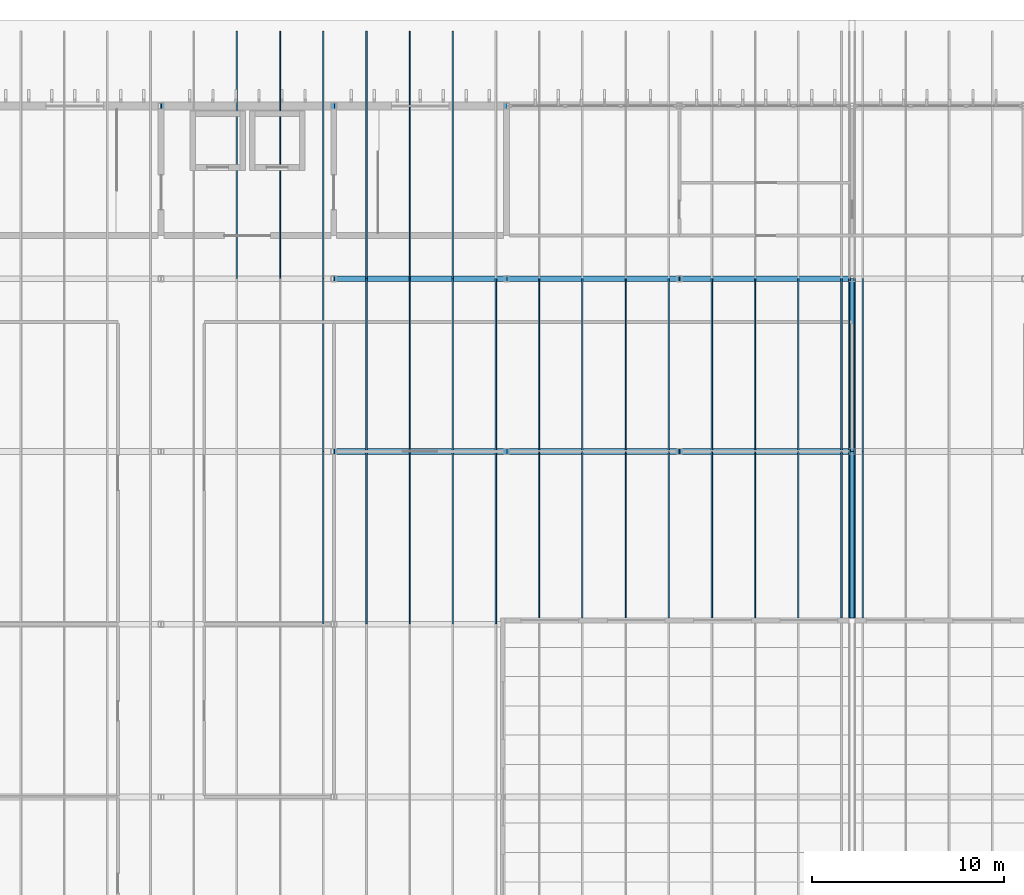
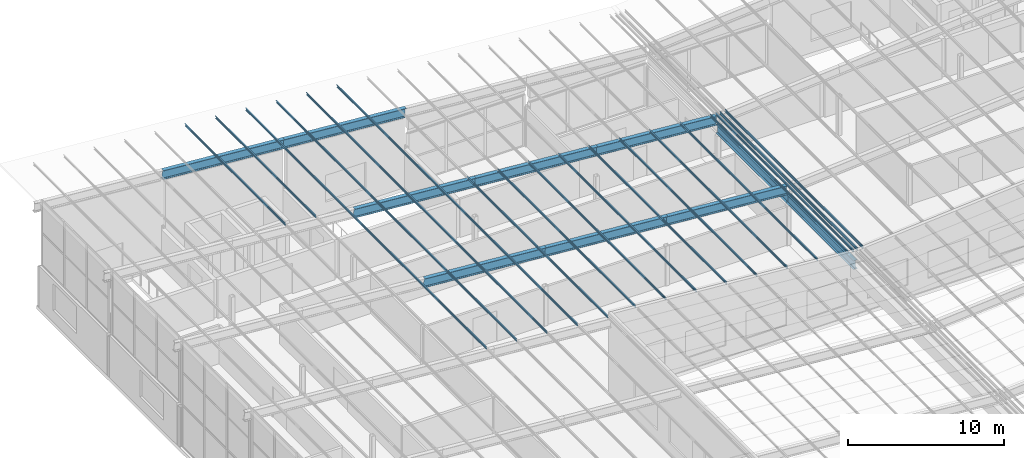
# One storey, part 54 of 85: 46 members, 2 beams.
"""IFC4 building model written with IfcOpenShell, lengths in metres."""

from ifc_helpers import new_model, si_unit, direction, frame, origin, origin_2d, place, context, subcontext, project, spatial, polyline, i_section, outline, extrude, material, material_profile, profile_set, type_object, element, save


model = new_model("IFC4")

# Units and contexts
model_context = context("Model", 3, precision=1e-05, world=origin(), true_north=direction((0.0, 1.0)))
body_context = subcontext(model_context, "Body", "Model", "MODEL_VIEW")
ifc_project = project(units=[si_unit("LENGTHUNIT", "METRE"), si_unit("AREAUNIT", "SQUARE_METRE"), si_unit("VOLUMEUNIT", "CUBIC_METRE"), si_unit("PLANEANGLEUNIT", "RADIAN"), si_unit("MASSUNIT", "GRAM", prefix="KILO")], contexts=[model_context])

# Site, building, storey
site_placement = place(None, origin())
site = spatial("IfcSite", under=ifc_project, at=site_placement, CompositionType="ELEMENT")
building_placement = place(site_placement, origin())
building = spatial("IfcBuilding", under=site, at=building_placement, Name="Opaline Strait Convention Centre", CompositionType="ELEMENT")
storey_placement = place(building_placement, frame((0.0, 0.0, 17.0)))
storey = spatial("IfcBuildingStorey", under=building, at=storey_placement, Name="L03", CompositionType="ELEMENT", Elevation=17.0)

# Members
ifc_material = material(Name="Steel Q355B", Category="steel")
ifc_material_profile_1 = material_profile(ifc_material, outline(polyline([(-0.034912109375, -0.10009765625), (0.034912109375, -0.10009765625), (0.034912109375, -0.080078125), (0.032470703125, -0.080078125), (0.032470703125, -0.097412109375), (-0.032470703125, -0.097412109375), (-0.032470703125, 0.097412109375), (0.032470703125, 0.097412109375), (0.032470703125, 0.080078125), (0.034912109375, 0.080078125), (0.034912109375, 0.10009765625), (-0.034912109375, 0.10009765625), (-0.034912109375, -0.10009765625)])), Name="C 200x70x20x2.5")
ifc_profile_set_1 = profile_set([ifc_material_profile_1], Name="Steel Q355B")
member_type_1 = type_object("IfcMemberType", Name="Roof purlin C 200x70x20x2.5", PredefinedType="PURLIN", material=ifc_profile_set_1)
member_1_placement = place(storey_placement, frame((323.85009765625, 153.324951171875, 4.814208984375), z_axis=(0.0, 1.0, 0.0), x_axis=(-0.996917333733, 0.0, -0.078459095728)))
element("IfcMember", 1, at=member_1_placement, inside=storey, type_object=member_type_1, Name="MRP1 purlin W wing 8", PredefinedType="PURLIN", context=body_context, shape_type="SweptSolid", body=[
    extrude(outline(polyline([(-0.034912109375, -0.10009765625), (0.034912109375, -0.10009765625), (0.034912109375, -0.080078125), (0.032470703125, -0.080078125), (0.032470703125, -0.097412109375), (-0.032470703125, -0.097412109375), (-0.032470703125, 0.097412109375), (0.032470703125, 0.097412109375), (0.032470703125, 0.080078125), (0.034912109375, 0.080078125), (0.034912109375, 0.10009765625), (-0.034912109375, 0.10009765625), (-0.034912109375, -0.10009765625)])), origin(), (0.0, 0.0, 1.0), 8.675048828125),
])
member_2_placement = place(storey_placement, frame((323.85009765625, 162.0, 4.814208984375), z_axis=(0.0, 1.0, 0.0), x_axis=(-0.996917333733, 0.0, -0.078459095728)))
element("IfcMember", 2, at=member_2_placement, inside=storey, type_object=member_type_1, Name="MRP1 purlin W wing 9", PredefinedType="PURLIN", context=body_context, shape_type="SweptSolid", body=[
    extrude(outline(polyline([(-0.034912109375, -0.10009765625), (0.034912109375, -0.10009765625), (0.034912109375, -0.080078125), (0.032470703125, -0.080078125), (0.032470703125, -0.097412109375), (-0.032470703125, -0.097412109375), (-0.032470703125, 0.097412109375), (0.032470703125, 0.097412109375), (0.032470703125, 0.080078125), (0.034912109375, 0.080078125), (0.034912109375, 0.10009765625), (-0.034912109375, 0.10009765625), (-0.034912109375, -0.10009765625)])), origin(), (0.0, 0.0, 1.0), 9.0),
])
member_3_placement = place(storey_placement, frame((323.449951171875, 153.324951171875, 4.845703125), z_axis=(0.0, 1.0, 0.0), x_axis=(-0.996917333733, 0.0, -0.078459095728)))
element("IfcMember", 3, at=member_3_placement, inside=storey, type_object=member_type_1, Name="MRP1 purlin W wing 18", PredefinedType="PURLIN", context=body_context, shape_type="SweptSolid", body=[
    extrude(outline(polyline([(-0.034912109375, -0.10009765625), (0.034912109375, -0.10009765625), (0.034912109375, -0.080078125), (0.032470703125, -0.080078125), (0.032470703125, -0.097412109375), (-0.032470703125, -0.097412109375), (-0.032470703125, 0.097412109375), (0.032470703125, 0.097412109375), (0.032470703125, 0.080078125), (0.034912109375, 0.080078125), (0.034912109375, 0.10009765625), (-0.034912109375, 0.10009765625), (-0.034912109375, -0.10009765625)])), origin(), (0.0, 0.0, 1.0), 8.675048828125),
])
member_4_placement = place(storey_placement, frame((323.449951171875, 162.0, 4.845703125), z_axis=(0.0, 1.0, 0.0), x_axis=(-0.996917333733, 0.0, -0.078459095728)))
element("IfcMember", 4, at=member_4_placement, inside=storey, type_object=member_type_1, Name="MRP1 purlin W wing 19", PredefinedType="PURLIN", context=body_context, shape_type="SweptSolid", body=[
    extrude(outline(polyline([(-0.034912109375, -0.10009765625), (0.034912109375, -0.10009765625), (0.034912109375, -0.080078125), (0.032470703125, -0.080078125), (0.032470703125, -0.097412109375), (-0.032470703125, -0.097412109375), (-0.032470703125, 0.097412109375), (0.032470703125, 0.097412109375), (0.032470703125, 0.080078125), (0.034912109375, 0.080078125), (0.034912109375, 0.10009765625), (-0.034912109375, 0.10009765625), (-0.034912109375, -0.10009765625)])), origin(), (0.0, 0.0, 1.0), 9.0),
])
member_5_placement = place(storey_placement, frame((321.199951171875, 153.324951171875, 5.02294921875), z_axis=(0.0, 1.0, 0.0), x_axis=(-0.996917333733, 0.0, -0.078459095728)))
element("IfcMember", 5, at=member_5_placement, inside=storey, type_object=member_type_1, Name="MRP1 purlin W wing 28", PredefinedType="PURLIN", context=body_context, shape_type="SweptSolid", body=[
    extrude(outline(polyline([(-0.034912109375, -0.10009765625), (0.034912109375, -0.10009765625), (0.034912109375, -0.080078125), (0.032470703125, -0.080078125), (0.032470703125, -0.097412109375), (-0.032470703125, -0.097412109375), (-0.032470703125, 0.097412109375), (0.032470703125, 0.097412109375), (0.032470703125, 0.080078125), (0.034912109375, 0.080078125), (0.034912109375, 0.10009765625), (-0.034912109375, 0.10009765625), (-0.034912109375, -0.10009765625)])), origin(), (0.0, 0.0, 1.0), 8.675048828125),
])
member_6_placement = place(storey_placement, frame((321.199951171875, 162.0, 5.02294921875), z_axis=(0.0, 1.0, 0.0), x_axis=(-0.996917333733, 0.0, -0.078459095728)))
element("IfcMember", 6, at=member_6_placement, inside=storey, type_object=member_type_1, Name="MRP1 purlin W wing 29", PredefinedType="PURLIN", context=body_context, shape_type="SweptSolid", body=[
    extrude(outline(polyline([(-0.034912109375, -0.10009765625), (0.034912109375, -0.10009765625), (0.034912109375, -0.080078125), (0.032470703125, -0.080078125), (0.032470703125, -0.097412109375), (-0.032470703125, -0.097412109375), (-0.032470703125, 0.097412109375), (0.032470703125, 0.097412109375), (0.032470703125, 0.080078125), (0.034912109375, 0.080078125), (0.034912109375, 0.10009765625), (-0.034912109375, 0.10009765625), (-0.034912109375, -0.10009765625)])), origin(), (0.0, 0.0, 1.0), 9.0),
])
member_7_placement = place(storey_placement, frame((318.949951171875, 153.324951171875, 5.199951171875), z_axis=(0.0, 1.0, 0.0), x_axis=(-0.996917333733, 0.0, -0.078459095728)))
element("IfcMember", 7, at=member_7_placement, inside=storey, type_object=member_type_1, Name="MRP1 purlin W wing 38", PredefinedType="PURLIN", context=body_context, shape_type="SweptSolid", body=[
    extrude(outline(polyline([(-0.034912109375, -0.10009765625), (0.034912109375, -0.10009765625), (0.034912109375, -0.080078125), (0.032470703125, -0.080078125), (0.032470703125, -0.097412109375), (-0.032470703125, -0.097412109375), (-0.032470703125, 0.097412109375), (0.032470703125, 0.097412109375), (0.032470703125, 0.080078125), (0.034912109375, 0.080078125), (0.034912109375, 0.10009765625), (-0.034912109375, 0.10009765625), (-0.034912109375, -0.10009765625)])), origin(), (0.0, 0.0, 1.0), 8.675048828125),
])
member_8_placement = place(storey_placement, frame((318.949951171875, 162.0, 5.199951171875), z_axis=(0.0, 1.0, 0.0), x_axis=(-0.996917333733, 0.0, -0.078459095728)))
element("IfcMember", 8, at=member_8_placement, inside=storey, type_object=member_type_1, Name="MRP1 purlin W wing 39", PredefinedType="PURLIN", context=body_context, shape_type="SweptSolid", body=[
    extrude(outline(polyline([(-0.034912109375, -0.10009765625), (0.034912109375, -0.10009765625), (0.034912109375, -0.080078125), (0.032470703125, -0.080078125), (0.032470703125, -0.097412109375), (-0.032470703125, -0.097412109375), (-0.032470703125, 0.097412109375), (0.032470703125, 0.097412109375), (0.032470703125, 0.080078125), (0.034912109375, 0.080078125), (0.034912109375, 0.10009765625), (-0.034912109375, 0.10009765625), (-0.034912109375, -0.10009765625)])), origin(), (0.0, 0.0, 1.0), 9.0),
])
member_9_placement = place(storey_placement, frame((316.699951171875, 153.324951171875, 5.376953125), z_axis=(0.0, 1.0, 0.0), x_axis=(-0.996917333733, 0.0, -0.078459095728)))
element("IfcMember", 9, at=member_9_placement, inside=storey, type_object=member_type_1, Name="MRP1 purlin W wing 48", PredefinedType="PURLIN", context=body_context, shape_type="SweptSolid", body=[
    extrude(outline(polyline([(-0.034912109375, -0.10009765625), (0.034912109375, -0.10009765625), (0.034912109375, -0.080078125), (0.032470703125, -0.080078125), (0.032470703125, -0.097412109375), (-0.032470703125, -0.097412109375), (-0.032470703125, 0.097412109375), (0.032470703125, 0.097412109375), (0.032470703125, 0.080078125), (0.034912109375, 0.080078125), (0.034912109375, 0.10009765625), (-0.034912109375, 0.10009765625), (-0.034912109375, -0.10009765625)])), origin(), (0.0, 0.0, 1.0), 8.675048828125),
])
member_10_placement = place(storey_placement, frame((316.699951171875, 162.0, 5.376953125), z_axis=(0.0, 1.0, 0.0), x_axis=(-0.996917333733, 0.0, -0.078459095728)))
element("IfcMember", 10, at=member_10_placement, inside=storey, type_object=member_type_1, Name="MRP1 purlin W wing 49", PredefinedType="PURLIN", context=body_context, shape_type="SweptSolid", body=[
    extrude(outline(polyline([(-0.034912109375, -0.10009765625), (0.034912109375, -0.10009765625), (0.034912109375, -0.080078125), (0.032470703125, -0.080078125), (0.032470703125, -0.097412109375), (-0.032470703125, -0.097412109375), (-0.032470703125, 0.097412109375), (0.032470703125, 0.097412109375), (0.032470703125, 0.080078125), (0.034912109375, 0.080078125), (0.034912109375, 0.10009765625), (-0.034912109375, 0.10009765625), (-0.034912109375, -0.10009765625)])), origin(), (0.0, 0.0, 1.0), 9.0),
])
member_11_placement = place(storey_placement, frame((314.449951171875, 153.324951171875, 5.553955078125), z_axis=(0.0, 1.0, 0.0), x_axis=(-0.996917333733, 0.0, -0.078459095728)))
element("IfcMember", 11, at=member_11_placement, inside=storey, type_object=member_type_1, Name="MRP1 purlin W wing 58", PredefinedType="PURLIN", context=body_context, shape_type="SweptSolid", body=[
    extrude(outline(polyline([(-0.034912109375, -0.10009765625), (0.034912109375, -0.10009765625), (0.034912109375, -0.080078125), (0.032470703125, -0.080078125), (0.032470703125, -0.097412109375), (-0.032470703125, -0.097412109375), (-0.032470703125, 0.097412109375), (0.032470703125, 0.097412109375), (0.032470703125, 0.080078125), (0.034912109375, 0.080078125), (0.034912109375, 0.10009765625), (-0.034912109375, 0.10009765625), (-0.034912109375, -0.10009765625)])), origin(), (0.0, 0.0, 1.0), 8.675048828125),
])
member_12_placement = place(storey_placement, frame((314.449951171875, 162.0, 5.553955078125), z_axis=(0.0, 1.0, 0.0), x_axis=(-0.996917333733, 0.0, -0.078459095728)))
element("IfcMember", 12, at=member_12_placement, inside=storey, type_object=member_type_1, Name="MRP1 purlin W wing 59", PredefinedType="PURLIN", context=body_context, shape_type="SweptSolid", body=[
    extrude(outline(polyline([(-0.034912109375, -0.10009765625), (0.034912109375, -0.10009765625), (0.034912109375, -0.080078125), (0.032470703125, -0.080078125), (0.032470703125, -0.097412109375), (-0.032470703125, -0.097412109375), (-0.032470703125, 0.097412109375), (0.032470703125, 0.097412109375), (0.032470703125, 0.080078125), (0.034912109375, 0.080078125), (0.034912109375, 0.10009765625), (-0.034912109375, 0.10009765625), (-0.034912109375, -0.10009765625)])), origin(), (0.0, 0.0, 1.0), 9.0),
])
member_13_placement = place(storey_placement, frame((312.199951171875, 153.324951171875, 5.731201171875), z_axis=(0.0, 1.0, 0.0), x_axis=(-0.996917333733, 0.0, -0.078459095728)))
element("IfcMember", 13, at=member_13_placement, inside=storey, type_object=member_type_1, Name="MRP1 purlin W wing 68", PredefinedType="PURLIN", context=body_context, shape_type="SweptSolid", body=[
    extrude(outline(polyline([(-0.034912109375, -0.10009765625), (0.034912109375, -0.10009765625), (0.034912109375, -0.080078125), (0.032470703125, -0.080078125), (0.032470703125, -0.097412109375), (-0.032470703125, -0.097412109375), (-0.032470703125, 0.097412109375), (0.032470703125, 0.097412109375), (0.032470703125, 0.080078125), (0.034912109375, 0.080078125), (0.034912109375, 0.10009765625), (-0.034912109375, 0.10009765625), (-0.034912109375, -0.10009765625)])), origin(), (0.0, 0.0, 1.0), 8.675048828125),
])
member_14_placement = place(storey_placement, frame((312.199951171875, 162.0, 5.731201171875), z_axis=(0.0, 1.0, 0.0), x_axis=(-0.996917333733, 0.0, -0.078459095728)))
element("IfcMember", 14, at=member_14_placement, inside=storey, type_object=member_type_1, Name="MRP1 purlin W wing 69", PredefinedType="PURLIN", context=body_context, shape_type="SweptSolid", body=[
    extrude(outline(polyline([(-0.034912109375, -0.10009765625), (0.034912109375, -0.10009765625), (0.034912109375, -0.080078125), (0.032470703125, -0.080078125), (0.032470703125, -0.097412109375), (-0.032470703125, -0.097412109375), (-0.032470703125, 0.097412109375), (0.032470703125, 0.097412109375), (0.032470703125, 0.080078125), (0.034912109375, 0.080078125), (0.034912109375, 0.10009765625), (-0.034912109375, 0.10009765625), (-0.034912109375, -0.10009765625)])), origin(), (0.0, 0.0, 1.0), 9.0),
])
member_15_placement = place(storey_placement, frame((309.949951171875, 153.324951171875, 5.908203125), z_axis=(0.0, 1.0, 0.0), x_axis=(-0.996917333733, 0.0, -0.078459095728)))
element("IfcMember", 15, at=member_15_placement, inside=storey, type_object=member_type_1, Name="MRP1 purlin W wing 78", PredefinedType="PURLIN", context=body_context, shape_type="SweptSolid", body=[
    extrude(outline(polyline([(-0.034912109375, -0.10009765625), (0.034912109375, -0.10009765625), (0.034912109375, -0.080078125), (0.032470703125, -0.080078125), (0.032470703125, -0.097412109375), (-0.032470703125, -0.097412109375), (-0.032470703125, 0.097412109375), (0.032470703125, 0.097412109375), (0.032470703125, 0.080078125), (0.034912109375, 0.080078125), (0.034912109375, 0.10009765625), (-0.034912109375, 0.10009765625), (-0.034912109375, -0.10009765625)])), origin(), (0.0, 0.0, 1.0), 8.675048828125),
])
member_16_placement = place(storey_placement, frame((309.949951171875, 162.0, 5.908203125), z_axis=(0.0, 1.0, 0.0), x_axis=(-0.996917333733, 0.0, -0.078459095728)))
element("IfcMember", 16, at=member_16_placement, inside=storey, type_object=member_type_1, Name="MRP1 purlin W wing 79", PredefinedType="PURLIN", context=body_context, shape_type="SweptSolid", body=[
    extrude(outline(polyline([(-0.034912109375, -0.10009765625), (0.034912109375, -0.10009765625), (0.034912109375, -0.080078125), (0.032470703125, -0.080078125), (0.032470703125, -0.097412109375), (-0.032470703125, -0.097412109375), (-0.032470703125, 0.097412109375), (0.032470703125, 0.097412109375), (0.032470703125, 0.080078125), (0.034912109375, 0.080078125), (0.034912109375, 0.10009765625), (-0.034912109375, 0.10009765625), (-0.034912109375, -0.10009765625)])), origin(), (0.0, 0.0, 1.0), 9.0),
])
member_17_placement = place(storey_placement, frame((307.699951171875, 153.324951171875, 6.085205078125), z_axis=(0.0, 1.0, 0.0), x_axis=(-0.996917333733, 0.0, -0.078459095728)))
element("IfcMember", 17, at=member_17_placement, inside=storey, type_object=member_type_1, Name="MRP1 purlin W wing 88", PredefinedType="PURLIN", context=body_context, shape_type="SweptSolid", body=[
    extrude(outline(polyline([(-0.034912109375, -0.10009765625), (0.034912109375, -0.10009765625), (0.034912109375, -0.080078125), (0.032470703125, -0.080078125), (0.032470703125, -0.097412109375), (-0.032470703125, -0.097412109375), (-0.032470703125, 0.097412109375), (0.032470703125, 0.097412109375), (0.032470703125, 0.080078125), (0.034912109375, 0.080078125), (0.034912109375, 0.10009765625), (-0.034912109375, 0.10009765625), (-0.034912109375, -0.10009765625)])), origin(), (0.0, 0.0, 1.0), 8.675048828125),
])
for number, where, z_axis, x_axis, name in (
    (18, (307.699951171875, 162.0, 6.085205078125), (0.0, 1.0, 0.0), (-0.996917333733, 0.0, -0.078459095728), "MRP1 purlin W wing 89"),
    (19, (305.449951171875, 153.0, 6.262451171875), (0.0, 1.0, 0.0), (-0.996917333733, 0.0, -0.078459095728), "MRP1 purlin W wing 98"),
    (20, (305.449951171875, 162.0, 6.262451171875), (0.0, 1.0, 0.0), (-0.996917333733, 0.0, -0.078459095728), "MRP1 purlin W wing 99"),
    (21, (303.199951171875, 153.0, 6.439453125), (0.0, 1.0, 0.0), (-0.996917333733, 0.0, -0.078459095728), "MRP1 purlin W wing 108"),
    (22, (303.199951171875, 162.0, 6.439453125), (0.0, 1.0, 0.0), (-0.996917333733, 0.0, -0.078459095728), "MRP1 purlin W wing 109"),
):
    element("IfcMember", number, at=place(storey_placement, frame(where, z_axis=z_axis, x_axis=x_axis)), inside=storey, type_object=member_type_1, Name=name, PredefinedType="PURLIN", context=body_context, shape_type="SweptSolid", body=[
        extrude(outline(polyline([(-0.034912109375, -0.10009765625), (0.034912109375, -0.10009765625), (0.034912109375, -0.080078125), (0.032470703125, -0.080078125), (0.032470703125, -0.097412109375), (-0.032470703125, -0.097412109375), (-0.032470703125, 0.097412109375), (0.032470703125, 0.097412109375), (0.032470703125, 0.080078125), (0.034912109375, 0.080078125), (0.034912109375, 0.10009765625), (-0.034912109375, 0.10009765625), (-0.034912109375, -0.10009765625)])), origin(), (0.0, 0.0, 1.0), 9.0),
    ])
member_18_placement = place(storey_placement, frame((303.199951171875, 171.0, 6.439453125), z_axis=(0.0, 1.0, 0.0), x_axis=(-0.996917333733, 0.0, -0.078459095728)))
element("IfcMember", 23, at=member_18_placement, inside=storey, type_object=member_type_1, Name="MRP1 purlin W wing 110", PredefinedType="PURLIN", context=body_context, shape_type="SweptSolid", body=[
    extrude(outline(polyline([(-0.034912109375, -0.10009765625), (0.034912109375, -0.10009765625), (0.034912109375, -0.080078125), (0.032470703125, -0.080078125), (0.032470703125, -0.097412109375), (-0.032470703125, -0.097412109375), (-0.032470703125, 0.097412109375), (0.032470703125, 0.097412109375), (0.032470703125, 0.080078125), (0.034912109375, 0.080078125), (0.034912109375, 0.10009765625), (-0.034912109375, 0.10009765625), (-0.034912109375, -0.10009765625)])), origin(), (0.0, 0.0, 1.0), 12.89990234375),
])
for number, where, z_axis, x_axis, name in (
    (24, (300.949951171875, 153.0, 6.616455078125), (0.0, 1.0, 0.0), (-0.996917333733, 0.0, -0.078459095728), "MRP1 purlin W wing 118"),
    (25, (300.949951171875, 162.0, 6.616455078125), (0.0, 1.0, 0.0), (-0.996917333733, 0.0, -0.078459095728), "MRP1 purlin W wing 119"),
):
    element("IfcMember", number, at=place(storey_placement, frame(where, z_axis=z_axis, x_axis=x_axis)), inside=storey, type_object=member_type_1, Name=name, PredefinedType="PURLIN", context=body_context, shape_type="SweptSolid", body=[
        extrude(outline(polyline([(-0.034912109375, -0.10009765625), (0.034912109375, -0.10009765625), (0.034912109375, -0.080078125), (0.032470703125, -0.080078125), (0.032470703125, -0.097412109375), (-0.032470703125, -0.097412109375), (-0.032470703125, 0.097412109375), (0.032470703125, 0.097412109375), (0.032470703125, 0.080078125), (0.034912109375, 0.080078125), (0.034912109375, 0.10009765625), (-0.034912109375, 0.10009765625), (-0.034912109375, -0.10009765625)])), origin(), (0.0, 0.0, 1.0), 9.0),
    ])
member_19_placement = place(storey_placement, frame((300.949951171875, 171.0, 6.616455078125), z_axis=(0.0, 1.0, 0.0), x_axis=(-0.996917333733, 0.0, -0.078459095728)))
element("IfcMember", 26, at=member_19_placement, inside=storey, type_object=member_type_1, Name="MRP1 purlin W wing 120", PredefinedType="PURLIN", context=body_context, shape_type="SweptSolid", body=[
    extrude(outline(polyline([(-0.034912109375, -0.10009765625), (0.034912109375, -0.10009765625), (0.034912109375, -0.080078125), (0.032470703125, -0.080078125), (0.032470703125, -0.097412109375), (-0.032470703125, -0.097412109375), (-0.032470703125, 0.097412109375), (0.032470703125, 0.097412109375), (0.032470703125, 0.080078125), (0.034912109375, 0.080078125), (0.034912109375, 0.10009765625), (-0.034912109375, 0.10009765625), (-0.034912109375, -0.10009765625)])), origin(), (0.0, 0.0, 1.0), 12.89990234375),
])
for number, where, z_axis, x_axis, name in (
    (27, (298.699951171875, 153.0, 6.793701171875), (0.0, 1.0, 0.0), (-0.996917333733, 0.0, -0.078459095728), "MRP1 purlin W wing 128"),
    (28, (298.699951171875, 162.0, 6.793701171875), (0.0, 1.0, 0.0), (-0.996917333733, 0.0, -0.078459095728), "MRP1 purlin W wing 129"),
):
    element("IfcMember", number, at=place(storey_placement, frame(where, z_axis=z_axis, x_axis=x_axis)), inside=storey, type_object=member_type_1, Name=name, PredefinedType="PURLIN", context=body_context, shape_type="SweptSolid", body=[
        extrude(outline(polyline([(-0.034912109375, -0.10009765625), (0.034912109375, -0.10009765625), (0.034912109375, -0.080078125), (0.032470703125, -0.080078125), (0.032470703125, -0.097412109375), (-0.032470703125, -0.097412109375), (-0.032470703125, 0.097412109375), (0.032470703125, 0.097412109375), (0.032470703125, 0.080078125), (0.034912109375, 0.080078125), (0.034912109375, 0.10009765625), (-0.034912109375, 0.10009765625), (-0.034912109375, -0.10009765625)])), origin(), (0.0, 0.0, 1.0), 9.0),
    ])
member_20_placement = place(storey_placement, frame((298.699951171875, 171.0, 6.793701171875), z_axis=(0.0, 1.0, 0.0), x_axis=(-0.996917333733, 0.0, -0.078459095728)))
element("IfcMember", 29, at=member_20_placement, inside=storey, type_object=member_type_1, Name="MRP1 purlin W wing 130", PredefinedType="PURLIN", context=body_context, shape_type="SweptSolid", body=[
    extrude(outline(polyline([(-0.034912109375, -0.10009765625), (0.034912109375, -0.10009765625), (0.034912109375, -0.080078125), (0.032470703125, -0.080078125), (0.032470703125, -0.097412109375), (-0.032470703125, -0.097412109375), (-0.032470703125, 0.097412109375), (0.032470703125, 0.097412109375), (0.032470703125, 0.080078125), (0.034912109375, 0.080078125), (0.034912109375, 0.10009765625), (-0.034912109375, 0.10009765625), (-0.034912109375, -0.10009765625)])), origin(), (0.0, 0.0, 1.0), 12.89990234375),
])
for number, where, z_axis, x_axis, name in (
    (30, (296.449951171875, 153.0, 6.970703125), (0.0, 1.0, 0.0), (-0.996917333733, 0.0, -0.078459095728), "MRP1 purlin W wing 138"),
    (31, (296.449951171875, 162.0, 6.970703125), (0.0, 1.0, 0.0), (-0.996917333733, 0.0, -0.078459095728), "MRP1 purlin W wing 139"),
):
    element("IfcMember", number, at=place(storey_placement, frame(where, z_axis=z_axis, x_axis=x_axis)), inside=storey, type_object=member_type_1, Name=name, PredefinedType="PURLIN", context=body_context, shape_type="SweptSolid", body=[
        extrude(outline(polyline([(-0.034912109375, -0.10009765625), (0.034912109375, -0.10009765625), (0.034912109375, -0.080078125), (0.032470703125, -0.080078125), (0.032470703125, -0.097412109375), (-0.032470703125, -0.097412109375), (-0.032470703125, 0.097412109375), (0.032470703125, 0.097412109375), (0.032470703125, 0.080078125), (0.034912109375, 0.080078125), (0.034912109375, 0.10009765625), (-0.034912109375, 0.10009765625), (-0.034912109375, -0.10009765625)])), origin(), (0.0, 0.0, 1.0), 9.0),
    ])
for number, where, z_axis, x_axis, name in (
    (32, (296.449951171875, 171.0, 6.970703125), (0.0, 1.0, 0.0), (-0.996917333733, 0.0, -0.078459095728), "MRP1 purlin W wing 140"),
    (33, (294.199951171875, 171.0, 7.147705078125), (0.0, 1.0, 0.0), (-0.996917333733, 0.0, -0.078459095728), "MRP1 purlin W wing 150"),
    (34, (291.949951171875, 171.0, 7.324951171875), (0.0, 1.0, 0.0), (-0.996917333733, 0.0, -0.078459095728), "MRP1 purlin W wing 160"),
):
    element("IfcMember", number, at=place(storey_placement, frame(where, z_axis=z_axis, x_axis=x_axis)), inside=storey, type_object=member_type_1, Name=name, PredefinedType="PURLIN", context=body_context, shape_type="SweptSolid", body=[
        extrude(outline(polyline([(-0.034912109375, -0.10009765625), (0.034912109375, -0.10009765625), (0.034912109375, -0.080078125), (0.032470703125, -0.080078125), (0.032470703125, -0.097412109375), (-0.032470703125, -0.097412109375), (-0.032470703125, 0.097412109375), (0.032470703125, 0.097412109375), (0.032470703125, 0.080078125), (0.034912109375, 0.080078125), (0.034912109375, 0.10009765625), (-0.034912109375, 0.10009765625), (-0.034912109375, -0.10009765625)])), origin(), (0.0, 0.0, 1.0), 12.89990234375),
    ])
member_21_placement = place(storey_placement, frame((324.14990234375, 153.324951171875, 4.814208984375), z_axis=(0.0, 1.0, 0.0), x_axis=(-0.996917333733, 0.0, 0.078459095728)))
element("IfcMember", 35, at=member_21_placement, inside=storey, type_object=member_type_1, Name="MRP1 purlin E wing 218", PredefinedType="PURLIN", context=body_context, shape_type="SweptSolid", body=[
    extrude(outline(polyline([(-0.034912109375, -0.10009765625), (0.034912109375, -0.10009765625), (0.034912109375, -0.080078125), (0.032470703125, -0.080078125), (0.032470703125, -0.097412109375), (-0.032470703125, -0.097412109375), (-0.032470703125, 0.097412109375), (0.032470703125, 0.097412109375), (0.032470703125, 0.080078125), (0.034912109375, 0.080078125), (0.034912109375, 0.10009765625), (-0.034912109375, 0.10009765625), (-0.034912109375, -0.10009765625)])), origin(), (0.0, 0.0, 1.0), 8.675048828125),
])
member_22_placement = place(storey_placement, frame((324.14990234375, 162.0, 4.814208984375), z_axis=(0.0, 1.0, 0.0), x_axis=(-0.996917333733, 0.0, 0.078459095728)))
element("IfcMember", 36, at=member_22_placement, inside=storey, type_object=member_type_1, Name="MRP1 purlin E wing 219", PredefinedType="PURLIN", context=body_context, shape_type="SweptSolid", body=[
    extrude(outline(polyline([(-0.034912109375, -0.10009765625), (0.034912109375, -0.10009765625), (0.034912109375, -0.080078125), (0.032470703125, -0.080078125), (0.032470703125, -0.097412109375), (-0.032470703125, -0.097412109375), (-0.032470703125, 0.097412109375), (0.032470703125, 0.097412109375), (0.032470703125, 0.080078125), (0.034912109375, 0.080078125), (0.034912109375, 0.10009765625), (-0.034912109375, 0.10009765625), (-0.034912109375, -0.10009765625)])), origin(), (0.0, 0.0, 1.0), 9.0),
])
member_23_placement = place(storey_placement, frame((324.550048828125, 153.324951171875, 4.845703125), z_axis=(0.0, 1.0, 0.0), x_axis=(-0.996917333733, 0.0, 0.078459095728)))
element("IfcMember", 37, at=member_23_placement, inside=storey, type_object=member_type_1, Name="MRP1 purlin E wing 228", PredefinedType="PURLIN", context=body_context, shape_type="SweptSolid", body=[
    extrude(outline(polyline([(-0.034912109375, -0.10009765625), (0.034912109375, -0.10009765625), (0.034912109375, -0.080078125), (0.032470703125, -0.080078125), (0.032470703125, -0.097412109375), (-0.032470703125, -0.097412109375), (-0.032470703125, 0.097412109375), (0.032470703125, 0.097412109375), (0.032470703125, 0.080078125), (0.034912109375, 0.080078125), (0.034912109375, 0.10009765625), (-0.034912109375, 0.10009765625), (-0.034912109375, -0.10009765625)])), origin(), (0.0, 0.0, 1.0), 8.675048828125),
])
member_24_placement = place(storey_placement, frame((324.550048828125, 162.0, 4.845703125), z_axis=(0.0, 1.0, 0.0), x_axis=(-0.996917333733, 0.0, 0.078459095728)))
element("IfcMember", 38, at=member_24_placement, inside=storey, type_object=member_type_1, Name="MRP1 purlin E wing 229", PredefinedType="PURLIN", context=body_context, shape_type="SweptSolid", body=[
    extrude(outline(polyline([(-0.034912109375, -0.10009765625), (0.034912109375, -0.10009765625), (0.034912109375, -0.080078125), (0.032470703125, -0.080078125), (0.032470703125, -0.097412109375), (-0.032470703125, -0.097412109375), (-0.032470703125, 0.097412109375), (0.032470703125, 0.097412109375), (0.032470703125, 0.080078125), (0.034912109375, 0.080078125), (0.034912109375, 0.10009765625), (-0.034912109375, 0.10009765625), (-0.034912109375, -0.10009765625)])), origin(), (0.0, 0.0, 1.0), 9.0),
])
ifc_material_profile_2 = material_profile(ifc_material, i_section(OverallWidth=0.300048828125, OverallDepth=0.699951171875, WebThickness=0.012939453125, FlangeThickness=0.02392578125, FilletRadius=0.01806640625, at=origin_2d()), Name="HN 700x300x13x24")
ifc_profile_set_2 = profile_set([ifc_material_profile_2], Name="Steel Q355B")
member_type_2 = type_object("IfcMemberType", Name="Roof rafter HN 700x300x13x24", PredefinedType="RAFTER", material=ifc_profile_set_2)
for number, where, z_axis, x_axis, name in (
    (39, (297.0, 162.0, 6.47607421875), (0.996917883079, 0.0, -0.078452115311), (0.0, 1.0, 0.0), "MRR1 rafter y 162"),
    (40, (306.0, 162.0, 5.767822265625), (0.99691576767, 0.0, -0.07847899191), (0.0, 1.0, 0.0), "MRR1 rafter y 162"),
):
    element("IfcMember", number, at=place(storey_placement, frame(where, z_axis=z_axis, x_axis=x_axis)), inside=storey, type_object=member_type_2, Name=name, PredefinedType="RAFTER", context=body_context, shape_type="SweptSolid", body=[
        extrude(i_section(OverallWidth=0.300048828125, OverallDepth=0.699951171875, WebThickness=0.012939453125, FlangeThickness=0.02392578125, FilletRadius=0.01806640625, at=origin_2d()), origin(), (0.0, 0.0, 1.0), 9.02783203125),
    ])
member_25_placement = place(storey_placement, frame((315.0, 162.0, 5.059326171875), z_axis=(0.996917316665, 0.0, -0.0784593126), x_axis=(0.0, 1.0, 0.0)))
element("IfcMember", 41, at=member_25_placement, inside=storey, type_object=member_type_2, Name="MRR1 rafter y 162", PredefinedType="RAFTER", context=body_context, shape_type="SweptSolid", body=[
    extrude(i_section(OverallWidth=0.300048828125, OverallDepth=0.699951171875, WebThickness=0.012939453125, FlangeThickness=0.02392578125, FilletRadius=0.01806640625, at=origin_2d()), origin(), (0.0, 0.0, 1.0), 8.927490234375),
])
for number, where, z_axis, x_axis, name in (
    (42, (297.0, 171.0, 6.47607421875), (0.996917883079, 0.0, -0.078452115311), (0.0, 1.0, 0.0), "MRR1 rafter y 171"),
    (43, (306.0, 171.0, 5.767822265625), (0.99691576767, 0.0, -0.07847899191), (0.0, 1.0, 0.0), "MRR1 rafter y 171"),
):
    element("IfcMember", number, at=place(storey_placement, frame(where, z_axis=z_axis, x_axis=x_axis)), inside=storey, type_object=member_type_2, Name=name, PredefinedType="RAFTER", context=body_context, shape_type="SweptSolid", body=[
        extrude(i_section(OverallWidth=0.300048828125, OverallDepth=0.699951171875, WebThickness=0.012939453125, FlangeThickness=0.02392578125, FilletRadius=0.01806640625, at=origin_2d()), origin(), (0.0, 0.0, 1.0), 9.02783203125),
    ])
member_26_placement = place(storey_placement, frame((315.0, 171.0, 5.059326171875), z_axis=(0.996917316665, 0.0, -0.0784593126), x_axis=(0.0, 1.0, 0.0)))
element("IfcMember", 44, at=member_26_placement, inside=storey, type_object=member_type_2, Name="MRR1 rafter y 171", PredefinedType="RAFTER", context=body_context, shape_type="SweptSolid", body=[
    extrude(i_section(OverallWidth=0.300048828125, OverallDepth=0.699951171875, WebThickness=0.012939453125, FlangeThickness=0.02392578125, FilletRadius=0.01806640625, at=origin_2d()), origin(), (0.0, 0.0, 1.0), 8.927490234375),
])
for number, where, z_axis, x_axis, name in (
    (45, (288.0, 180.0, 7.184326171875), (0.996917883079, 0.0, -0.078452115311), (0.0, 1.0, 0.0), "MRR1 rafter y 180"),
    (46, (297.0, 180.0, 6.47607421875), (0.996917883079, 0.0, -0.078452115311), (0.0, 1.0, 0.0), "MRR1 rafter y 180"),
):
    element("IfcMember", number, at=place(storey_placement, frame(where, z_axis=z_axis, x_axis=x_axis)), inside=storey, type_object=member_type_2, Name=name, PredefinedType="RAFTER", context=body_context, shape_type="SweptSolid", body=[
        extrude(i_section(OverallWidth=0.300048828125, OverallDepth=0.699951171875, WebThickness=0.012939453125, FlangeThickness=0.02392578125, FilletRadius=0.01806640625, at=origin_2d()), origin(), (0.0, 0.0, 1.0), 9.02783203125),
    ])

# Beams
ifc_material_profile_3 = material_profile(ifc_material, i_section(OverallWidth=0.300048828125, OverallDepth=0.699951171875, WebThickness=0.012939453125, FlangeThickness=0.02392578125, FilletRadius=0.01806640625, at=origin_2d()), Name="HN 700x300x13x24")
ifc_profile_set_3 = profile_set([ifc_material_profile_3], Name="Steel Q355B")
beam_type = type_object("IfcBeamType", Name="Valley beam HN 700x300x13x24", PredefinedType="BEAM", material=ifc_profile_set_3)
beam_1_placement = place(storey_placement, frame((324.0, 153.324951171875, 3.661865234375), z_axis=(0.0, 1.0, 0.0), x_axis=(-1.0, 0.0, 0.0)))
element("IfcBeam", 47, at=beam_1_placement, inside=storey, type_object=beam_type, Name="MVB1 valley beam 6", PredefinedType="BEAM", context=body_context, shape_type="SweptSolid", body=[
    extrude(i_section(OverallWidth=0.300048828125, OverallDepth=0.699951171875, WebThickness=0.012939453125, FlangeThickness=0.02392578125, FilletRadius=0.01806640625, at=origin_2d()), origin(), (0.0, 0.0, 1.0), 8.675048828125),
])
beam_2_placement = place(storey_placement, frame((324.0, 162.0, 3.661865234375), z_axis=(0.0, 1.0, 0.0), x_axis=(-1.0, 0.0, 0.0)))
element("IfcBeam", 48, at=beam_2_placement, inside=storey, type_object=beam_type, Name="MVB1 valley beam 7", PredefinedType="BEAM", context=body_context, shape_type="SweptSolid", body=[
    extrude(i_section(OverallWidth=0.300048828125, OverallDepth=0.699951171875, WebThickness=0.012939453125, FlangeThickness=0.02392578125, FilletRadius=0.01806640625, at=origin_2d()), origin(), (0.0, 0.0, 1.0), 9.0),
])

save(model, "model.ifc")
